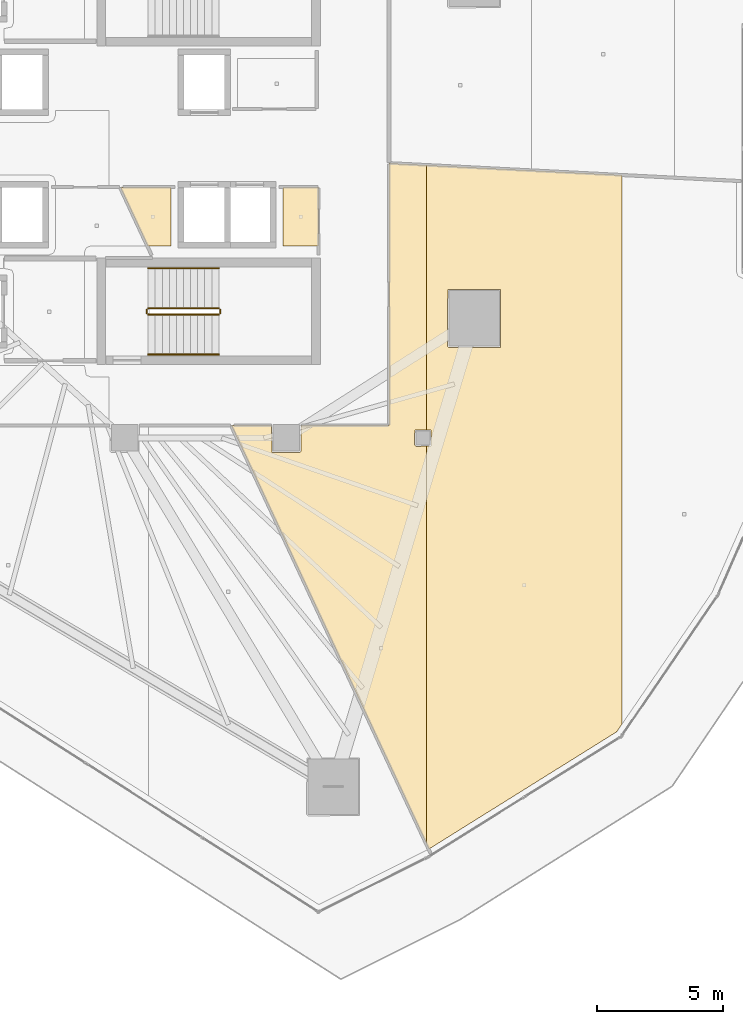
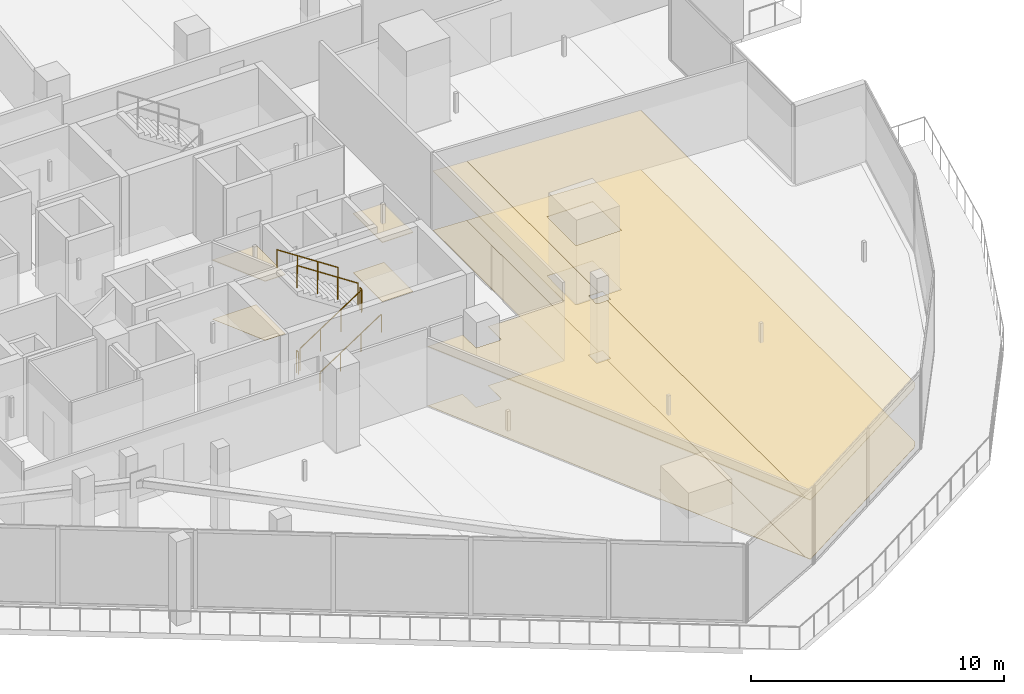
# One storey, part 37 of 40: 8 coverings, 6 railings.
"""IFC4 building model written with IfcOpenShell, lengths in metres."""

from ifc_helpers import new_model, si_unit, direction, frame, origin, origin_2d, place, context, subcontext, project, spatial, polyline, circle, outline, extrude, material, layer, layer_set, type_object, element, save


model = new_model("IFC4")

# Units and contexts
model_context = context("Model", 3, precision=1e-05, world=origin(), true_north=direction((0.0, 1.0)))
body_context = subcontext(model_context, "Body", "Model", "MODEL_VIEW")
ifc_project = project(units=[si_unit("LENGTHUNIT", "METRE"), si_unit("AREAUNIT", "SQUARE_METRE"), si_unit("VOLUMEUNIT", "CUBIC_METRE"), si_unit("PLANEANGLEUNIT", "RADIAN"), si_unit("MASSUNIT", "GRAM", prefix="KILO")], contexts=[model_context])

# Site, building, storey
site_placement = place(None, origin())
site = spatial("IfcSite", under=ifc_project, at=site_placement, CompositionType="ELEMENT")
building_placement = place(site_placement, origin())
building = spatial("IfcBuilding", under=site, at=building_placement, Name="Qorvath Tower", CompositionType="ELEMENT")
storey_placement = place(building_placement, frame((0.0, 0.0, 138.14990234375)))
storey = spatial("IfcBuildingStorey", under=building, at=storey_placement, Name="L31", CompositionType="ELEMENT", Elevation=138.14990234375)

# Coverings
ifc_material_1 = material(Name="Acoustic mineral fibre ceiling tile", Category="gypsum")
ifc_layer_1 = layer(ifc_material_1, 0.030029296875)
ifc_layer_set_1 = layer_set([ifc_layer_1], Name="COV-CEIL")
covering_type_1 = type_object("IfcCoveringType", Name="COV-CEIL", PredefinedType="CEILING", material=ifc_layer_set_1)
covering_1_placement = place(storey_placement, frame((0.0, 0.0, 2.85009765625)))
element("IfcCovering", 1, at=covering_1_placement, inside=storey, type_object=covering_type_1, Name="L31 Suspended Acoustic Ceiling 018", PredefinedType="CEILING", context=body_context, shape_type="SweptSolid", body=[
    extrude(outline(polyline([(-13.138427734375, -10.96142578125), (-16.614990234375, -10.962890625), (-16.614990234375, -11.97509765625), (-16.675048828125, -12.034912109375), (-17.767333984375, -12.017333984375), (-17.784912109375, -10.962890625), (-19.37255859375, -10.962890625), (-11.6494140625, -27.522216796875), (-11.6494140625, -11.7724609375), (-12.074951171875, -11.784912109375), (-12.135009765625, -11.72509765625), (-12.117431640625, -11.132568359375), (-11.6494140625, -11.132568359375), (-11.6494140625, -0.65966796875), (-13.136962890625, -0.583984375), (-13.138427734375, -10.96142578125)])), origin(), (0.0, 0.0, 1.0), 0.030029296875),
])
covering_2_placement = place(storey_placement, frame((0.0, 0.0, 2.85009765625)))
element("IfcCovering", 2, at=covering_2_placement, inside=storey, type_object=covering_type_1, Name="L31 Suspended Acoustic Ceiling 019", PredefinedType="CEILING", context=body_context, shape_type="SweptSolid", body=[
    extrude(outline(polyline([(-11.6494140625, -0.65966796875), (-11.6494140625, -11.132568359375), (-11.482666015625, -11.132568359375), (-11.482666015625, -11.767333984375), (-11.6494140625, -11.7724609375), (-11.6494140625, -27.522216796875), (-11.5595703125, -27.714599609375), (-4.127685546875, -23.076171875), (-3.92626953125, -22.78125), (-3.92626953125, -1.05322265625), (-11.6494140625, -0.65966796875)]), holes=[polyline([(-10.830322265625, -7.8212890625), (-10.812744140625, -5.578857421875), (-8.727783203125, -5.578857421875), (-8.727783203125, -7.86376953125), (-10.770263671875, -7.88134765625), (-10.830322265625, -7.8212890625)])]), origin(), (0.0, 0.0, 1.0), 0.030029296875),
])
covering_3_placement = place(storey_placement, frame((0.0, 0.0, 2.85009765625)))
element("IfcCovering", 3, at=covering_3_placement, inside=storey, type_object=covering_type_1, Name="L31 Suspended Acoustic Ceiling 021", PredefinedType="CEILING", context=body_context, shape_type="SweptSolid", body=[
    extrude(outline(polyline([(-22.68994140625, -3.85009765625), (-21.760009765625, -3.85009765625), (-21.760009765625, -1.532958984375), (-23.770751953125, -1.532958984375), (-22.68994140625, -3.85009765625)])), origin(), (0.0, 0.0, 1.0), 0.030029296875),
])
covering_4_placement = place(storey_placement, frame((0.0, 0.0, 2.85009765625)))
element("IfcCovering", 4, at=covering_4_placement, inside=storey, type_object=covering_type_1, Name="L31 Suspended Acoustic Ceiling 022", PredefinedType="CEILING", context=body_context, shape_type="SweptSolid", body=[
    extrude(outline(polyline([(-17.340087890625, -1.532958984375), (-17.340087890625, -3.85009765625), (-15.93310546875, -3.85009765625), (-15.93310546875, -1.532958984375), (-17.340087890625, -1.532958984375)])), origin(), (0.0, 0.0, 1.0), 0.030029296875),
])
ifc_material_2 = material(Name="Low-VOC modular carpet tile", Category="textile")
ifc_layer_2 = layer(ifc_material_2, 0.014892578125)
ifc_layer_set_2 = layer_set([ifc_layer_2], Name="COV-FLOOR-CPT")
covering_type_2 = type_object("IfcCoveringType", Name="COV-FLOOR-CPT", PredefinedType="FLOORING", material=ifc_layer_set_2)
covering_5_placement = place(storey_placement, origin())
element("IfcCovering", 5, at=covering_5_placement, inside=storey, type_object=covering_type_2, Name="L31 Floor Finish 018", PredefinedType="FLOORING", context=body_context, shape_type="SweptSolid", body=[
    extrude(outline(polyline([(-13.138427734375, -10.96142578125), (-16.614990234375, -10.962890625), (-16.614990234375, -11.97509765625), (-16.675048828125, -12.034912109375), (-17.767333984375, -12.017333984375), (-17.784912109375, -10.962890625), (-19.37255859375, -10.962890625), (-11.6494140625, -27.522216796875), (-11.6494140625, -11.7724609375), (-12.074951171875, -11.784912109375), (-12.135009765625, -11.72509765625), (-12.117431640625, -11.132568359375), (-11.6494140625, -11.132568359375), (-11.6494140625, -0.65966796875), (-13.136962890625, -0.583984375), (-13.138427734375, -10.96142578125)])), origin(), (0.0, 0.0, 1.0), 0.01513671875),
])
covering_6_placement = place(storey_placement, origin())
element("IfcCovering", 6, at=covering_6_placement, inside=storey, type_object=covering_type_2, Name="L31 Floor Finish 019", PredefinedType="FLOORING", context=body_context, shape_type="SweptSolid", body=[
    extrude(outline(polyline([(-11.6494140625, -0.65966796875), (-11.6494140625, -11.132568359375), (-11.482666015625, -11.132568359375), (-11.482666015625, -11.767333984375), (-11.6494140625, -11.7724609375), (-11.6494140625, -27.522216796875), (-11.5595703125, -27.714599609375), (-4.127685546875, -23.076171875), (-3.92626953125, -22.78125), (-3.92626953125, -1.05322265625), (-11.6494140625, -0.65966796875)]), holes=[polyline([(-10.830322265625, -7.8212890625), (-10.812744140625, -5.578857421875), (-8.727783203125, -5.578857421875), (-8.727783203125, -7.86376953125), (-10.770263671875, -7.88134765625), (-10.830322265625, -7.8212890625)])]), origin(), (0.0, 0.0, 1.0), 0.01513671875),
])
covering_7_placement = place(storey_placement, origin())
element("IfcCovering", 7, at=covering_7_placement, inside=storey, type_object=covering_type_2, Name="L31 Floor Finish 021", PredefinedType="FLOORING", context=body_context, shape_type="SweptSolid", body=[
    extrude(outline(polyline([(-22.68994140625, -3.85009765625), (-21.760009765625, -3.85009765625), (-21.760009765625, -1.532958984375), (-23.770751953125, -1.532958984375), (-22.68994140625, -3.85009765625)])), origin(), (0.0, 0.0, 1.0), 0.01513671875),
])
covering_8_placement = place(storey_placement, origin())
element("IfcCovering", 8, at=covering_8_placement, inside=storey, type_object=covering_type_2, Name="L31 Floor Finish 022", PredefinedType="FLOORING", context=body_context, shape_type="SweptSolid", body=[
    extrude(outline(polyline([(-17.340087890625, -1.532958984375), (-17.340087890625, -3.85009765625), (-15.93310546875, -3.85009765625), (-15.93310546875, -1.532958984375), (-17.340087890625, -1.532958984375)])), origin(), (0.0, 0.0, 1.0), 0.01513671875),
])

# Railings
ifc_material_3 = material(Name="Painted galvanised steel", Category="steel")
railing_type_1 = type_object("IfcRailingType", Name="RL-STR-GRD", PredefinedType="GUARDRAIL", material=ifc_material_3)
railing_1_placement = place(storey_placement, frame((-22.669921875, -6.570068359375, 0.18408203125)))
element("IfcRailing", 9, at=railing_1_placement, inside=storey, type_object=railing_type_1, Name="L31 TS2 stair guard 1", PredefinedType="GUARDRAIL", context=body_context, shape_type="SweptSolid", body=[
    extrude(circle(Radius=0.02392578125, at=origin_2d()), frame((0.0, 0.0, 1.076171875), z_axis=(0.835542071712, 0.0, 0.549426470421), x_axis=(0.0, 1.0, 0.0)), (0.0, 0.0, 1.0), 3.350830078125),
    extrude(circle(Radius=0.02099609375, at=origin_2d()), origin(), (0.0, 0.0, 1.0), 1.052001953125),
    extrude(circle(Radius=0.02099609375, at=origin_2d()), frame((0.933349609375, 0.0, 0.61376953125)), (0.0, 0.0, 1.0), 1.052001953125),
    extrude(circle(Radius=0.02099609375, at=origin_2d()), frame((1.866455078125, 0.0, 1.227294921875)), (0.0, 0.0, 1.0), 1.052001953125),
    extrude(circle(Radius=0.02099609375, at=origin_2d()), frame((2.7998046875, 0.0, 1.841064453125)), (0.0, 0.0, 1.0), 1.052001953125),
])
railing_2_placement = place(storey_placement, frame((-19.820068359375, -6.52001953125, 2.025146484375)))
element("IfcRailing", 10, at=railing_2_placement, inside=storey, type_object=railing_type_1, Name="L31 TS2 stair guard 2", PredefinedType="GUARDRAIL", context=body_context, shape_type="SweptSolid", body=[
    extrude(circle(Radius=0.02392578125, at=origin_2d()), frame((0.0, 0.0, 1.076171875), z_axis=(0.0, 1.0, 0.0), x_axis=(-1.0, 0.0, 0.0)), (0.0, 0.0, 1.0), 0.14990234375),
    extrude(circle(Radius=0.02099609375, at=origin_2d()), origin(), (0.0, 0.0, 1.0), 1.052001953125),
    extrude(circle(Radius=0.02099609375, at=origin_2d()), frame((0.0, 0.14990234375, 0.0)), (0.0, 0.0, 1.0), 1.052001953125),
])
railing_3_placement = place(storey_placement, frame((-19.8701171875, -6.320068359375, 2.209228515625)))
element("IfcRailing", 11, at=railing_3_placement, inside=storey, type_object=railing_type_1, Name="L31 TS2 stair guard 3", PredefinedType="GUARDRAIL", context=body_context, shape_type="SweptSolid", body=[
    extrude(circle(Radius=0.02392578125, at=origin_2d()), frame((0.0, 0.0, 1.076171875), z_axis=(-0.835575518608, 0.0, 0.549375602573), x_axis=(0.0, -1.0, 0.0)), (0.0, 0.0, 1.0), 3.350830078125),
    extrude(circle(Radius=0.02099609375, at=origin_2d()), origin(), (0.0, 0.0, 1.0), 1.052001953125),
    extrude(circle(Radius=0.02099609375, at=origin_2d()), frame((-0.933349609375, 0.0, 0.613525390625)), (0.0, 0.0, 1.0), 1.052001953125),
    extrude(circle(Radius=0.02099609375, at=origin_2d()), frame((-1.866455078125, 0.0, 1.227294921875)), (0.0, 0.0, 1.0), 1.052001953125),
    extrude(circle(Radius=0.02099609375, at=origin_2d()), frame((-2.7998046875, 0.0, 1.8408203125)), (0.0, 0.0, 1.0), 1.052001953125),
])
railing_4_placement = place(storey_placement, frame((-22.719970703125, -6.52001953125, 0.0)))
element("IfcRailing", 12, at=railing_4_placement, inside=storey, type_object=railing_type_1, Name="L31 TS2 stair guard 4", PredefinedType="GUARDRAIL", context=body_context, shape_type="SweptSolid", body=[
    extrude(circle(Radius=0.02392578125, at=origin_2d()), frame((0.0, 0.0, 1.076171875), z_axis=(0.0, 1.0, 0.0), x_axis=(-1.0, 0.0, 0.0)), (0.0, 0.0, 1.0), 0.14990234375),
    extrude(circle(Radius=0.02099609375, at=origin_2d()), origin(), (0.0, 0.0, 1.0), 1.052001953125),
    extrude(circle(Radius=0.02099609375, at=origin_2d()), frame((0.0, 0.14990234375, 0.0)), (0.0, 0.0, 1.0), 1.052001953125),
])
ifc_material_4 = material(Name="Brushed stainless steel AISI 304", Category="steel")
railing_type_2 = type_object("IfcRailingType", Name="RL-STR-HND", PredefinedType="HANDRAIL", material=ifc_material_4)
railing_5_placement = place(storey_placement, frame((-22.669921875, -8.14990234375, 0.18408203125)))
element("IfcRailing", 13, at=railing_5_placement, inside=storey, type_object=railing_type_2, Name="L31 TS2 stair handrail 1", PredefinedType="HANDRAIL", context=body_context, shape_type="SweptSolid", body=[
    extrude(circle(Radius=0.02392578125, at=origin_2d()), frame((0.0, 0.0, 0.8759765625), z_axis=(0.835542071712, 0.0, 0.549426470421), x_axis=(0.0, 1.0, 0.0)), (0.0, 0.0, 1.0), 3.350830078125),
    extrude(circle(Radius=0.02099609375, at=origin_2d()), origin(), (0.0, 0.0, 1.0), 0.851806640625),
    extrude(circle(Radius=0.02099609375, at=origin_2d()), frame((0.933349609375, 0.0, 0.61376953125)), (0.0, 0.0, 1.0), 0.851806640625),
    extrude(circle(Radius=0.02099609375, at=origin_2d()), frame((1.866455078125, 0.0, 1.227294921875)), (0.0, 0.0, 1.0), 0.851806640625),
    extrude(circle(Radius=0.02099609375, at=origin_2d()), frame((2.7998046875, 0.0, 1.841064453125)), (0.0, 0.0, 1.0), 0.851806640625),
])
railing_6_placement = place(storey_placement, frame((-19.8701171875, -4.739990234375, 2.209228515625)))
element("IfcRailing", 14, at=railing_6_placement, inside=storey, type_object=railing_type_2, Name="L31 TS2 stair handrail 2", PredefinedType="HANDRAIL", context=body_context, shape_type="SweptSolid", body=[
    extrude(circle(Radius=0.02392578125, at=origin_2d()), frame((0.0, 0.0, 0.8759765625), z_axis=(-0.835575518608, 0.0, 0.549375602573), x_axis=(0.0, -1.0, 0.0)), (0.0, 0.0, 1.0), 3.350830078125),
    extrude(circle(Radius=0.02099609375, at=origin_2d()), origin(), (0.0, 0.0, 1.0), 0.851806640625),
    extrude(circle(Radius=0.02099609375, at=origin_2d()), frame((-0.933349609375, 0.0, 0.613525390625)), (0.0, 0.0, 1.0), 0.851806640625),
    extrude(circle(Radius=0.02099609375, at=origin_2d()), frame((-1.866455078125, 0.0, 1.227294921875)), (0.0, 0.0, 1.0), 0.851806640625),
    extrude(circle(Radius=0.02099609375, at=origin_2d()), frame((-2.7998046875, 0.0, 1.8408203125)), (0.0, 0.0, 1.0), 0.851806640625),
])

save(model, "model.ifc")
